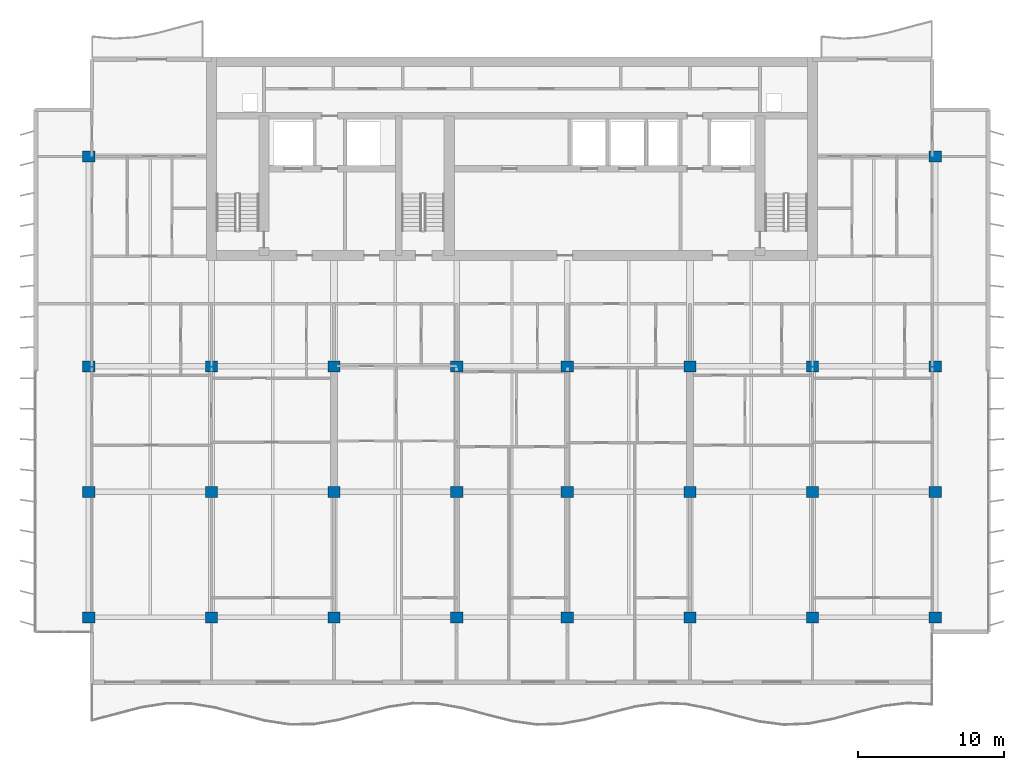
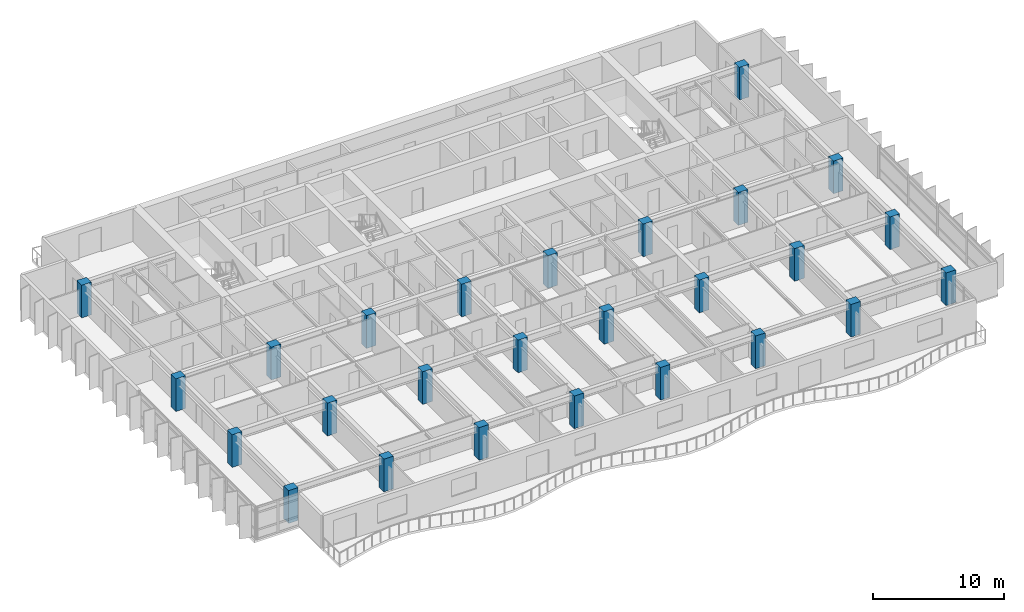
# One storey, part 1 of 18: 26 columns.
"""IFC4 building model written with IfcOpenShell, lengths in metres."""

from ifc_helpers import new_model, si_unit, direction, frame, origin, origin_2d, place, context, subcontext, project, spatial, rectangle, extrude, material, material_profile, profile_set, type_object, element, save


model = new_model("IFC4")

# Units and contexts
model_context = context("Model", 3, precision=1e-05, world=origin(), true_north=direction((0.0, 1.0)))
body_context = subcontext(model_context, "Body", "Model", "MODEL_VIEW")
ifc_project = project(units=[si_unit("LENGTHUNIT", "METRE"), si_unit("AREAUNIT", "SQUARE_METRE"), si_unit("VOLUMEUNIT", "CUBIC_METRE"), si_unit("PLANEANGLEUNIT", "RADIAN"), si_unit("MASSUNIT", "GRAM", prefix="KILO")], contexts=[model_context])

# Site, building, storey
site_placement = place(None, origin())
site = spatial("IfcSite", under=ifc_project, at=site_placement, CompositionType="ELEMENT")
building_placement = place(site_placement, origin())
building = spatial("IfcBuilding", under=site, at=building_placement, Name="Caelmar Bay Residences", CompositionType="ELEMENT")
storey_placement = place(building_placement, frame((0.0, 0.0, 170.39990234375)))
storey = spatial("IfcBuildingStorey", under=building, at=storey_placement, Name="L47", CompositionType="ELEMENT", Elevation=170.39990234375)

# Columns
ifc_material = material(Name="Concrete f'c 55 MPa (8,000 psi)", Category="concrete")
ifc_material_profile = material_profile(ifc_material, rectangle(XDim=0.85009765625, YDim=0.75, at=origin_2d()), Name="RC-COL-850X750")
ifc_profile_set = profile_set([ifc_material_profile], Name="Concrete f'c 55 MPa (8,000 psi)")
column_type = type_object("IfcColumnType", Name="COL-RC-850X750", PredefinedType="COLUMN", material=ifc_profile_set)
for number, where, z_axis, x_axis, name in (
    (1, (9.89990234375, 12.199951171875, 0.0), (0.0, 0.0, 1.0), (1.0, 0.0, 0.0), "L47 Column (9.90,12.20)"),
    (2, (18.300048828125, 12.199951171875, 0.0), (0.0, 0.0, 1.0), (1.0, 0.0, 0.0), "L47 Column (18.30,12.20)"),
    (3, (26.699951171875, 12.199951171875, 0.0), (0.0, 0.0, 1.0), (1.0, 0.0, 0.0), "L47 Column (26.70,12.20)"),
    (4, (35.10009765625, 12.199951171875, 0.0), (0.0, 0.0, 1.0), (1.0, 0.0, 0.0), "L47 Column (35.10,12.20)"),
    (5, (42.699951171875, 12.199951171875, 0.0), (0.0, 0.0, 1.0), (1.0, 0.0, 0.0), "L47 Column (42.70,12.20)"),
    (6, (51.10009765625, 12.199951171875, 0.0), (0.0, 0.0, 1.0), (1.0, 0.0, 0.0), "L47 Column (51.10,12.20)"),
    (7, (59.5, 12.199951171875, 0.0), (0.0, 0.0, 1.0), (1.0, 0.0, 0.0), "L47 Column (59.50,12.20)"),
    (8, (67.89990234375, 12.199951171875, 0.0), (0.0, 0.0, 1.0), (1.0, 0.0, 0.0), "L47 Column (67.90,12.20)"),
    (9, (9.89990234375, 20.800048828125, 0.0), (0.0, 0.0, 1.0), (1.0, 0.0, 0.0), "L47 Column (9.90,20.80)"),
    (10, (18.300048828125, 20.800048828125, 0.0), (0.0, 0.0, 1.0), (1.0, 0.0, 0.0), "L47 Column (18.30,20.80)"),
    (11, (26.699951171875, 20.800048828125, 0.0), (0.0, 0.0, 1.0), (1.0, 0.0, 0.0), "L47 Column (26.70,20.80)"),
    (12, (35.10009765625, 20.800048828125, 0.0), (0.0, 0.0, 1.0), (1.0, 0.0, 0.0), "L47 Column (35.10,20.80)"),
    (13, (42.699951171875, 20.800048828125, 0.0), (0.0, 0.0, 1.0), (1.0, 0.0, 0.0), "L47 Column (42.70,20.80)"),
    (14, (51.10009765625, 20.800048828125, 0.0), (0.0, 0.0, 1.0), (1.0, 0.0, 0.0), "L47 Column (51.10,20.80)"),
    (15, (59.5, 20.800048828125, 0.0), (0.0, 0.0, 1.0), (1.0, 0.0, 0.0), "L47 Column (59.50,20.80)"),
    (16, (67.89990234375, 20.800048828125, 0.0), (0.0, 0.0, 1.0), (1.0, 0.0, 0.0), "L47 Column (67.90,20.80)"),
    (17, (9.89990234375, 29.39990234375, 0.0), (0.0, 0.0, 1.0), (1.0, 0.0, 0.0), "L47 Column (9.90,29.40)"),
    (18, (18.300048828125, 29.39990234375, 0.0), (0.0, 0.0, 1.0), (1.0, 0.0, 0.0), "L47 Column (18.30,29.40)"),
    (19, (26.699951171875, 29.39990234375, 0.0), (0.0, 0.0, 1.0), (1.0, 0.0, 0.0), "L47 Column (26.70,29.40)"),
    (20, (35.10009765625, 29.39990234375, 0.0), (0.0, 0.0, 1.0), (1.0, 0.0, 0.0), "L47 Column (35.10,29.40)"),
    (21, (42.699951171875, 29.39990234375, 0.0), (0.0, 0.0, 1.0), (1.0, 0.0, 0.0), "L47 Column (42.70,29.40)"),
    (22, (51.10009765625, 29.39990234375, 0.0), (0.0, 0.0, 1.0), (1.0, 0.0, 0.0), "L47 Column (51.10,29.40)"),
    (23, (59.5, 29.39990234375, 0.0), (0.0, 0.0, 1.0), (1.0, 0.0, 0.0), "L47 Column (59.50,29.40)"),
    (24, (67.89990234375, 29.39990234375, 0.0), (0.0, 0.0, 1.0), (1.0, 0.0, 0.0), "L47 Column (67.90,29.40)"),
    (25, (9.89990234375, 43.800048828125, 0.0), (0.0, 0.0, 1.0), (1.0, 0.0, 0.0), "L47 Column (9.90,43.80)"),
    (26, (67.89990234375, 43.800048828125, 0.0), (0.0, 0.0, 1.0), (1.0, 0.0, 0.0), "L47 Column (67.90,43.80)"),
):
    element("IfcColumn", number, at=place(storey_placement, frame(where, z_axis=z_axis, x_axis=x_axis)), inside=storey, type_object=column_type, Name=name, PredefinedType="COLUMN", context=body_context, shape_type="SweptSolid", body=[
        extrude(rectangle(XDim=0.85009765625, YDim=0.75, at=origin_2d()), origin(), (0.0, 0.0, 1.0), 3.050048828125),
    ])

save(model, "model.ifc")
